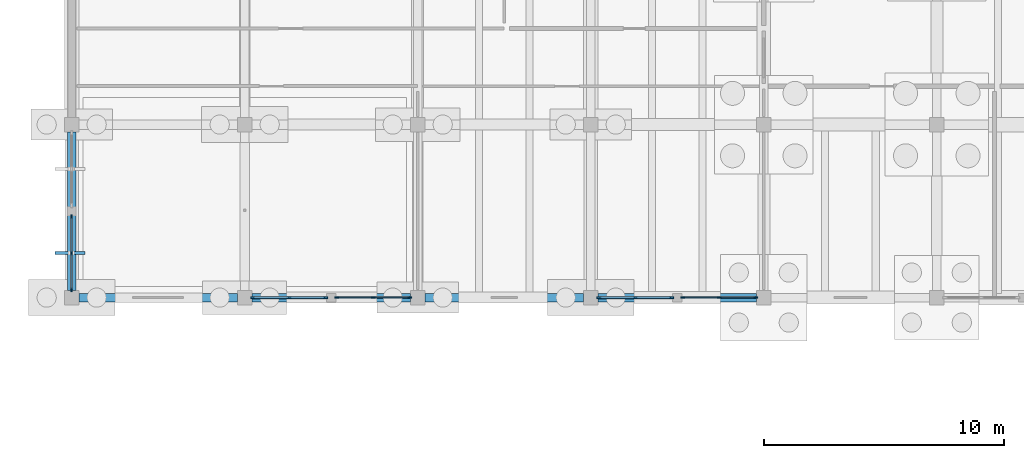
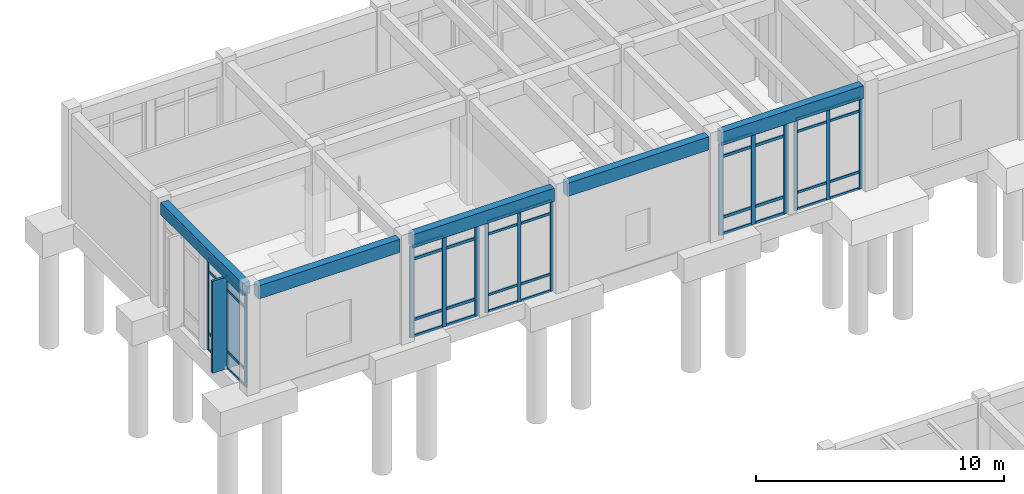
# One storey, part 21 of 93: 56 members, 5 beams, 5 elements without a shape of their own.
"""IFC4 building model written with IfcOpenShell, lengths in metres."""

from ifc_helpers import new_model, si_unit, direction, frame, origin, origin_2d, place, context, subcontext, project, spatial, rectangle, extrude, material, layer, layer_set, material_profile, profile_set, type_object, element, aggregate, save


model = new_model("IFC4")

# Units and contexts
model_context = context("Model", 3, precision=1e-05, world=origin(), true_north=direction((0.0, 1.0)))
body_context = subcontext(model_context, "Body", "Model", "MODEL_VIEW")
ifc_project = project(units=[si_unit("LENGTHUNIT", "METRE"), si_unit("AREAUNIT", "SQUARE_METRE"), si_unit("VOLUMEUNIT", "CUBIC_METRE"), si_unit("PLANEANGLEUNIT", "RADIAN"), si_unit("MASSUNIT", "GRAM", prefix="KILO")], contexts=[model_context])

# Site, building, storey
site_placement = place(None, origin())
site = spatial("IfcSite", under=ifc_project, at=site_placement, CompositionType="ELEMENT")
building_placement = place(site_placement, origin())
building = spatial("IfcBuilding", under=site, at=building_placement, Name="Koriwan Promenade Central Fire Station", CompositionType="ELEMENT")
storey_placement = place(building_placement, origin())
storey = spatial("IfcBuildingStorey", under=building, at=storey_placement, Name="L00", CompositionType="ELEMENT", Elevation=0.0)

# Beams
ifc_material_1 = material(Name="Concrete C35/45", Category="concrete")
ifc_material_profile_1 = material_profile(ifc_material_1, rectangle(XDim=0.35009765625, YDim=0.60009765625, at=origin_2d()), Name="RC-BM-350x600")
ifc_profile_set_1 = profile_set([ifc_material_profile_1], Name="Concrete C35/45")
beam_type_1 = type_object("IfcBeamType", Name="Beam_RC-BM-350x600", PredefinedType="BEAM", material=ifc_profile_set_1)
beam_1_placement = place(storey_placement, frame((0.0, 43.5, 4.85009765625), z_axis=(0.0, 1.0, 0.0), x_axis=(-1.0, 0.0, 0.0)))
element("IfcBeam", 1, at=beam_1_placement, inside=storey, type_object=beam_type_1, Name="V4 L00 girder Y-354", PredefinedType="BEAM", context=body_context, shape_type="SweptSolid", body=[
    extrude(rectangle(XDim=0.35009765625, YDim=0.60009765625, at=origin_2d()), origin(), (0.0, 0.0, 1.0), 6.60009765625),
])
ifc_material_profile_2 = material_profile(ifc_material_1, rectangle(XDim=0.35009765625, YDim=0.64990234375, at=origin_2d()), Name="RC-SP-350x650")
ifc_profile_set_2 = profile_set([ifc_material_profile_2], Name="Concrete C35/45")
beam_type_2 = type_object("IfcBeamType", Name="Beam_RC-SP-350x650", PredefinedType="SPANDREL", material=ifc_profile_set_2)
beam_2_placement = place(storey_placement, frame((0.300048828125, 43.199951171875, 4.824951171875), z_axis=(1.0, 0.0, 0.0), x_axis=(0.0, 1.0, 0.0)))
element("IfcBeam", 2, at=beam_2_placement, inside=storey, type_object=beam_type_2, Name="V4 L00 girder X-324", PredefinedType="SPANDREL", context=body_context, shape_type="SweptSolid", body=[
    extrude(rectangle(XDim=0.35009765625, YDim=0.64990234375, at=origin_2d()), origin(), (0.0, 0.0, 1.0), 6.599853515625),
])
for number, where, z_axis, x_axis, name in (
    (3, (7.5, 43.199951171875, 4.824951171875), (1.0, 0.0, 0.0), (0.0, 1.0, 0.0), "V4 L00 girder X-325"),
    (4, (14.699951171875, 43.199951171875, 4.8349609375), (1.0, 0.0, 0.0), (0.0, 1.0, 0.0), "V4 L00 girder X-326"),
    (5, (21.89990234375, 43.199951171875, 4.8349609375), (1.0, 0.0, 0.0), (0.0, 1.0, 0.0), "V4 L00 girder X-327"),
):
    element("IfcBeam", number, at=place(storey_placement, frame(where, z_axis=z_axis, x_axis=x_axis)), inside=storey, type_object=beam_type_2, Name=name, PredefinedType="SPANDREL", context=body_context, shape_type="SweptSolid", body=[
        extrude(rectangle(XDim=0.35009765625, YDim=0.64990234375, at=origin_2d()), origin(), (0.0, 0.0, 1.0), 6.60009765625),
    ])

# Curtain wall, members
ifc_material_2 = material(Name="Aluminium EN AW-6063-T6 and low-E glazing", Category="aluminium")
ifc_layer_1 = layer(ifc_material_2, 0.159912109375, Name="Aluminium EN AW-6063-T6 and low-E glazing")
ifc_layer_set_1 = layer_set([ifc_layer_1], Name="Aluminium EN AW-6063-T6 and low-E glazing")
curtain_wall_type_1 = type_object("IfcCurtainWallType", Name="CurtainWall_33_310x454", PredefinedType="USERDEFINED", material=ifc_layer_set_1)
curtain_wall_1_placement = place(storey_placement, origin())
curtain_wall_1 = element("IfcCurtainWall", 6, at=curtain_wall_1_placement, inside=storey, type_object=curtain_wall_type_1, Name="V4 L00 unitised curtain wall 081", ObjectType="UNITISED CURTAIN WALL", PredefinedType="USERDEFINED")
ifc_material_3 = material(Name="Aluminium EN AW-6063-T6", Category="aluminium")
ifc_material_profile_3 = material_profile(ifc_material_3, rectangle(XDim=0.06494140625, YDim=0.159912109375, at=origin_2d()), Name="ALU-MUL-65x160")
ifc_profile_set_3 = profile_set([ifc_material_profile_3], Name="Aluminium EN AW-6063-T6")
member_type_1 = type_object("IfcMemberType", Name="CWMullion_ALU-MUL-65x160", PredefinedType="MULLION", material=ifc_profile_set_3)
member_1_placement = place(storey_placement, frame((0.0, 43.532470703125, 0.0), z_axis=(0.0, 0.0, 1.0), x_axis=(-1.0, 0.0, 0.0)))
member_1 = element("IfcMember", 7, at=member_1_placement, type_object=member_type_1, Name="CW-33 mullion 1", PredefinedType="MULLION", context=body_context, shape_type="SweptSolid", body=[
    extrude(rectangle(XDim=0.06494140625, YDim=0.159912109375, at=origin_2d()), origin(), (0.0, 0.0, 1.0), 4.5400390625),
])
member_2_placement = place(storey_placement, frame((0.0, 45.050048828125, 0.0), z_axis=(0.0, 0.0, 1.0), x_axis=(-1.0, 0.0, 0.0)))
member_2 = element("IfcMember", 8, at=member_2_placement, type_object=member_type_1, Name="CW-33 mullion 2", PredefinedType="MULLION", context=body_context, shape_type="SweptSolid", body=[
    extrude(rectangle(XDim=0.06494140625, YDim=0.159912109375, at=origin_2d()), origin(), (0.0, 0.0, 1.0), 4.5400390625),
])
member_3_placement = place(storey_placement, frame((0.0, 46.5673828125, 0.0), z_axis=(0.0, 0.0, 1.0), x_axis=(-1.0, 0.0, 0.0)))
member_3 = element("IfcMember", 9, at=member_3_placement, type_object=member_type_1, Name="CW-33 mullion 3", PredefinedType="MULLION", context=body_context, shape_type="SweptSolid", body=[
    extrude(rectangle(XDim=0.06494140625, YDim=0.159912109375, at=origin_2d()), origin(), (0.0, 0.0, 1.0), 4.5400390625),
])

ifc_layer_2 = layer(ifc_material_2, 0.159912109375, Name="Aluminium EN AW-6063-T6 and low-E glazing")
ifc_layer_set_2 = layer_set([ifc_layer_2], Name="Aluminium EN AW-6063-T6 and low-E glazing")
curtain_wall_type_2 = type_object("IfcCurtainWallType", Name="CurtainWall_42_310x450", PredefinedType="USERDEFINED", material=ifc_layer_set_2)
curtain_wall_2_placement = place(storey_placement, origin())
curtain_wall_2 = element("IfcCurtainWall", 10, at=curtain_wall_2_placement, inside=storey, type_object=curtain_wall_type_2, Name="V4 L00 unitised curtain wall 105", ObjectType="UNITISED CURTAIN WALL", PredefinedType="USERDEFINED")
member_4_placement = place(storey_placement, frame((28.467529296875, 43.199951171875, 0.0), z_axis=(0.0, 0.0, 1.0), x_axis=(0.0, -1.0, 0.0)))
member_4 = element("IfcMember", 11, at=member_4_placement, type_object=member_type_1, Name="CW-42 mullion 1", PredefinedType="MULLION", context=body_context, shape_type="SweptSolid", body=[
    extrude(rectangle(XDim=0.06494140625, YDim=0.159912109375, at=origin_2d()), origin(), (0.0, 0.0, 1.0), 4.5),
])
member_5_placement = place(storey_placement, frame((26.949951171875, 43.199951171875, 0.0), z_axis=(0.0, 0.0, 1.0), x_axis=(0.0, -1.0, 0.0)))
member_5 = element("IfcMember", 12, at=member_5_placement, type_object=member_type_1, Name="CW-42 mullion 2", PredefinedType="MULLION", context=body_context, shape_type="SweptSolid", body=[
    extrude(rectangle(XDim=0.06494140625, YDim=0.159912109375, at=origin_2d()), origin(), (0.0, 0.0, 1.0), 4.5),
])
member_6_placement = place(storey_placement, frame((25.4326171875, 43.199951171875, 0.0), z_axis=(0.0, 0.0, 1.0), x_axis=(0.0, -1.0, 0.0)))
member_6 = element("IfcMember", 13, at=member_6_placement, type_object=member_type_1, Name="CW-42 mullion 3", PredefinedType="MULLION", context=body_context, shape_type="SweptSolid", body=[
    extrude(rectangle(XDim=0.06494140625, YDim=0.159912109375, at=origin_2d()), origin(), (0.0, 0.0, 1.0), 4.5),
])

ifc_layer_3 = layer(ifc_material_2, 0.159912109375, Name="Aluminium EN AW-6063-T6 and low-E glazing")
ifc_layer_set_3 = layer_set([ifc_layer_3], Name="Aluminium EN AW-6063-T6 and low-E glazing")
curtain_wall_type_3 = type_object("IfcCurtainWallType", Name="CurtainWall_24_310x449", PredefinedType="USERDEFINED", material=ifc_layer_set_3)
curtain_wall_3_placement = place(storey_placement, origin())
curtain_wall_3 = element("IfcCurtainWall", 14, at=curtain_wall_3_placement, inside=storey, type_object=curtain_wall_type_3, Name="V4 L00 unitised curtain wall 107", ObjectType="UNITISED CURTAIN WALL", PredefinedType="USERDEFINED")
member_7_placement = place(storey_placement, frame((14.0673828125, 43.199951171875, 0.0), z_axis=(0.0, 0.0, 1.0), x_axis=(0.0, -1.0, 0.0)))
member_7 = element("IfcMember", 15, at=member_7_placement, type_object=member_type_1, Name="CW-24 mullion 1", PredefinedType="MULLION", context=body_context, shape_type="SweptSolid", body=[
    extrude(rectangle(XDim=0.06494140625, YDim=0.159912109375, at=origin_2d()), origin(), (0.0, 0.0, 1.0), 4.489990234375),
])
member_8_placement = place(storey_placement, frame((12.550048828125, 43.199951171875, 0.0), z_axis=(0.0, 0.0, 1.0), x_axis=(0.0, -1.0, 0.0)))
member_8 = element("IfcMember", 16, at=member_8_placement, type_object=member_type_1, Name="CW-24 mullion 2", PredefinedType="MULLION", context=body_context, shape_type="SweptSolid", body=[
    extrude(rectangle(XDim=0.06494140625, YDim=0.159912109375, at=origin_2d()), origin(), (0.0, 0.0, 1.0), 4.489990234375),
])
member_9_placement = place(storey_placement, frame((11.032470703125, 43.199951171875, 0.0), z_axis=(0.0, 0.0, 1.0), x_axis=(0.0, -1.0, 0.0)))
member_9 = element("IfcMember", 17, at=member_9_placement, type_object=member_type_1, Name="CW-24 mullion 3", PredefinedType="MULLION", context=body_context, shape_type="SweptSolid", body=[
    extrude(rectangle(XDim=0.06494140625, YDim=0.159912109375, at=origin_2d()), origin(), (0.0, 0.0, 1.0), 4.489990234375),
])

ifc_layer_4 = layer(ifc_material_2, 0.159912109375, Name="Aluminium EN AW-6063-T6 and low-E glazing")
ifc_layer_set_4 = layer_set([ifc_layer_4], Name="Aluminium EN AW-6063-T6 and low-E glazing")
curtain_wall_type_4 = type_object("IfcCurtainWallType", Name="CurtainWall_43_310x450", PredefinedType="USERDEFINED", material=ifc_layer_set_4)
curtain_wall_4_placement = place(storey_placement, origin())
curtain_wall_4 = element("IfcCurtainWall", 18, at=curtain_wall_4_placement, inside=storey, type_object=curtain_wall_type_4, Name="V4 L00 unitised curtain wall 106", ObjectType="UNITISED CURTAIN WALL", PredefinedType="USERDEFINED")
ifc_material_profile_4 = material_profile(ifc_material_3, rectangle(XDim=0.074951171875, YDim=0.179931640625, at=origin_2d()), Name="ALU-MUL-75x180")
ifc_profile_set_4 = profile_set([ifc_material_profile_4], Name="Aluminium EN AW-6063-T6")
member_type_2 = type_object("IfcMemberType", Name="CWMullion_ALU-MUL-75x180", PredefinedType="MULLION", material=ifc_profile_set_4)
member_10_placement = place(storey_placement, frame((24.96240234375, 43.199951171875, 0.0), z_axis=(0.0, 0.0, 1.0), x_axis=(0.0, -1.0, 0.0)))
member_10 = element("IfcMember", 19, at=member_10_placement, type_object=member_type_2, Name="CW-43 mullion 1", PredefinedType="MULLION", context=body_context, shape_type="SweptSolid", body=[
    extrude(rectangle(XDim=0.074951171875, YDim=0.179931640625, at=origin_2d()), origin(), (0.0, 0.0, 1.0), 4.5),
])
member_11_placement = place(storey_placement, frame((23.449951171875, 43.199951171875, 0.0), z_axis=(0.0, 0.0, 1.0), x_axis=(0.0, -1.0, 0.0)))
member_11 = element("IfcMember", 20, at=member_11_placement, type_object=member_type_2, Name="CW-43 mullion 2", PredefinedType="MULLION", context=body_context, shape_type="SweptSolid", body=[
    extrude(rectangle(XDim=0.074951171875, YDim=0.179931640625, at=origin_2d()), origin(), (0.0, 0.0, 1.0), 4.5),
])
member_12_placement = place(storey_placement, frame((21.9375, 43.199951171875, 0.0), z_axis=(0.0, 0.0, 1.0), x_axis=(0.0, -1.0, 0.0)))
member_12 = element("IfcMember", 21, at=member_12_placement, type_object=member_type_2, Name="CW-43 mullion 3", PredefinedType="MULLION", context=body_context, shape_type="SweptSolid", body=[
    extrude(rectangle(XDim=0.074951171875, YDim=0.179931640625, at=origin_2d()), origin(), (0.0, 0.0, 1.0), 4.5),
])

ifc_layer_5 = layer(ifc_material_2, 0.159912109375, Name="Aluminium EN AW-6063-T6 and low-E glazing")
ifc_layer_set_5 = layer_set([ifc_layer_5], Name="Aluminium EN AW-6063-T6 and low-E glazing")
curtain_wall_type_5 = type_object("IfcCurtainWallType", Name="CurtainWall_39_310x449", PredefinedType="USERDEFINED", material=ifc_layer_set_5)
curtain_wall_5_placement = place(storey_placement, origin())
curtain_wall_5 = element("IfcCurtainWall", 22, at=curtain_wall_5_placement, inside=storey, type_object=curtain_wall_type_5, Name="V4 L00 unitised curtain wall 108", ObjectType="UNITISED CURTAIN WALL", PredefinedType="USERDEFINED")
member_13_placement = place(storey_placement, frame((10.5625, 43.199951171875, 0.0), z_axis=(0.0, 0.0, 1.0), x_axis=(0.0, -1.0, 0.0)))
member_13 = element("IfcMember", 23, at=member_13_placement, type_object=member_type_2, Name="CW-39 mullion 1", PredefinedType="MULLION", context=body_context, shape_type="SweptSolid", body=[
    extrude(rectangle(XDim=0.074951171875, YDim=0.179931640625, at=origin_2d()), origin(), (0.0, 0.0, 1.0), 4.489990234375),
])
member_14_placement = place(storey_placement, frame((9.050048828125, 43.199951171875, 0.0), z_axis=(0.0, 0.0, 1.0), x_axis=(0.0, -1.0, 0.0)))
member_14 = element("IfcMember", 24, at=member_14_placement, type_object=member_type_2, Name="CW-39 mullion 2", PredefinedType="MULLION", context=body_context, shape_type="SweptSolid", body=[
    extrude(rectangle(XDim=0.074951171875, YDim=0.179931640625, at=origin_2d()), origin(), (0.0, 0.0, 1.0), 4.489990234375),
])
member_15_placement = place(storey_placement, frame((7.53759765625, 43.199951171875, 0.0), z_axis=(0.0, 0.0, 1.0), x_axis=(0.0, -1.0, 0.0)))
member_15 = element("IfcMember", 25, at=member_15_placement, type_object=member_type_2, Name="CW-39 mullion 3", PredefinedType="MULLION", context=body_context, shape_type="SweptSolid", body=[
    extrude(rectangle(XDim=0.074951171875, YDim=0.179931640625, at=origin_2d()), origin(), (0.0, 0.0, 1.0), 4.489990234375),
])

# Member
ifc_material_profile_5 = material_profile(ifc_material_3, rectangle(XDim=0.06494140625, YDim=0.1201171875, at=origin_2d()), Name="ALU-TRN-65x120")
ifc_profile_set_5 = profile_set([ifc_material_profile_5], Name="Aluminium EN AW-6063-T6")
member_type_3 = type_object("IfcMemberType", Name="CWTransom_ALU-TRN-65x120", PredefinedType="USERDEFINED", material=ifc_profile_set_5)
member_16_placement = place(storey_placement, frame((0.0, 43.56494140625, 0.032470703125), z_axis=(0.0, 1.0, 0.0), x_axis=(-1.0, 0.0, 0.0)))
member_16 = element("IfcMember", 26, at=member_16_placement, type_object=member_type_3, Name="CW-33 transom 1.1", ObjectType="TRANSOM", PredefinedType="USERDEFINED", context=body_context, shape_type="SweptSolid", body=[
    extrude(rectangle(XDim=0.06494140625, YDim=0.1201171875, at=origin_2d()), origin(), (0.0, 0.0, 1.0), 1.45263671875),
])

member_17_placement = place(storey_placement, frame((0.0, 43.56494140625, 0.85009765625), z_axis=(0.0, 1.0, 0.0), x_axis=(-1.0, 0.0, 0.0)))
member_17 = element("IfcMember", 27, at=member_17_placement, type_object=member_type_3, Name="CW-33 transom 1.2", ObjectType="TRANSOM", PredefinedType="USERDEFINED", context=body_context, shape_type="SweptSolid", body=[
    extrude(rectangle(XDim=0.06494140625, YDim=0.1201171875, at=origin_2d()), origin(), (0.0, 0.0, 1.0), 1.45263671875),
])

member_18_placement = place(storey_placement, frame((0.0, 43.56494140625, 3.889892578125), z_axis=(0.0, 1.0, 0.0), x_axis=(-1.0, 0.0, 0.0)))
member_18 = element("IfcMember", 28, at=member_18_placement, type_object=member_type_3, Name="CW-33 transom 1.3", ObjectType="TRANSOM", PredefinedType="USERDEFINED", context=body_context, shape_type="SweptSolid", body=[
    extrude(rectangle(XDim=0.06494140625, YDim=0.1201171875, at=origin_2d()), origin(), (0.0, 0.0, 1.0), 1.45263671875),
])

member_19_placement = place(storey_placement, frame((0.0, 43.56494140625, 4.507568359375), z_axis=(0.0, 1.0, 0.0), x_axis=(-1.0, 0.0, 0.0)))
member_19 = element("IfcMember", 29, at=member_19_placement, type_object=member_type_3, Name="CW-33 transom 1.4", ObjectType="TRANSOM", PredefinedType="USERDEFINED", context=body_context, shape_type="SweptSolid", body=[
    extrude(rectangle(XDim=0.06494140625, YDim=0.1201171875, at=origin_2d()), origin(), (0.0, 0.0, 1.0), 1.45263671875),
])

member_20_placement = place(storey_placement, frame((0.0, 45.08251953125, 0.032470703125), z_axis=(0.0, 1.0, 0.0), x_axis=(-1.0, 0.0, 0.0)))
member_20 = element("IfcMember", 30, at=member_20_placement, type_object=member_type_3, Name="CW-33 transom 2.1", ObjectType="TRANSOM", PredefinedType="USERDEFINED", context=body_context, shape_type="SweptSolid", body=[
    extrude(rectangle(XDim=0.06494140625, YDim=0.1201171875, at=origin_2d()), origin(), (0.0, 0.0, 1.0), 1.452392578125),
])

member_21_placement = place(storey_placement, frame((0.0, 45.08251953125, 0.85009765625), z_axis=(0.0, 1.0, 0.0), x_axis=(-1.0, 0.0, 0.0)))
member_21 = element("IfcMember", 31, at=member_21_placement, type_object=member_type_3, Name="CW-33 transom 2.2", ObjectType="TRANSOM", PredefinedType="USERDEFINED", context=body_context, shape_type="SweptSolid", body=[
    extrude(rectangle(XDim=0.06494140625, YDim=0.1201171875, at=origin_2d()), origin(), (0.0, 0.0, 1.0), 1.452392578125),
])

member_22_placement = place(storey_placement, frame((0.0, 45.08251953125, 3.889892578125), z_axis=(0.0, 1.0, 0.0), x_axis=(-1.0, 0.0, 0.0)))
member_22 = element("IfcMember", 32, at=member_22_placement, type_object=member_type_3, Name="CW-33 transom 2.3", ObjectType="TRANSOM", PredefinedType="USERDEFINED", context=body_context, shape_type="SweptSolid", body=[
    extrude(rectangle(XDim=0.06494140625, YDim=0.1201171875, at=origin_2d()), origin(), (0.0, 0.0, 1.0), 1.452392578125),
])

member_23_placement = place(storey_placement, frame((0.0, 45.08251953125, 4.507568359375), z_axis=(0.0, 1.0, 0.0), x_axis=(-1.0, 0.0, 0.0)))
member_23 = element("IfcMember", 33, at=member_23_placement, type_object=member_type_3, Name="CW-33 transom 2.4", ObjectType="TRANSOM", PredefinedType="USERDEFINED", context=body_context, shape_type="SweptSolid", body=[
    extrude(rectangle(XDim=0.06494140625, YDim=0.1201171875, at=origin_2d()), origin(), (0.0, 0.0, 1.0), 1.452392578125),
])

aggregate(curtain_wall_1, [member_1, member_2, member_3, member_16, member_17, member_18, member_19, member_20, member_21, member_22, member_23])

member_24_placement = place(storey_placement, frame((28.43505859375, 43.199951171875, 0.032470703125), z_axis=(-1.0, 0.0, 0.0), x_axis=(0.0, -1.0, 0.0)))
member_24 = element("IfcMember", 34, at=member_24_placement, type_object=member_type_3, Name="CW-42 transom 1.1", ObjectType="TRANSOM", PredefinedType="USERDEFINED", context=body_context, shape_type="SweptSolid", body=[
    extrude(rectangle(XDim=0.06494140625, YDim=0.1201171875, at=origin_2d()), origin(), (0.0, 0.0, 1.0), 1.45263671875),
])

member_25_placement = place(storey_placement, frame((28.43505859375, 43.199951171875, 0.85009765625), z_axis=(-1.0, 0.0, 0.0), x_axis=(0.0, -1.0, 0.0)))
member_25 = element("IfcMember", 35, at=member_25_placement, type_object=member_type_3, Name="CW-42 transom 1.2", ObjectType="TRANSOM", PredefinedType="USERDEFINED", context=body_context, shape_type="SweptSolid", body=[
    extrude(rectangle(XDim=0.06494140625, YDim=0.1201171875, at=origin_2d()), origin(), (0.0, 0.0, 1.0), 1.45263671875),
])

member_26_placement = place(storey_placement, frame((28.43505859375, 43.199951171875, 3.85009765625), z_axis=(-1.0, 0.0, 0.0), x_axis=(0.0, -1.0, 0.0)))
member_26 = element("IfcMember", 36, at=member_26_placement, type_object=member_type_3, Name="CW-42 transom 1.3", ObjectType="TRANSOM", PredefinedType="USERDEFINED", context=body_context, shape_type="SweptSolid", body=[
    extrude(rectangle(XDim=0.06494140625, YDim=0.1201171875, at=origin_2d()), origin(), (0.0, 0.0, 1.0), 1.45263671875),
])

member_27_placement = place(storey_placement, frame((28.43505859375, 43.199951171875, 4.467529296875), z_axis=(-1.0, 0.0, 0.0), x_axis=(0.0, -1.0, 0.0)))
member_27 = element("IfcMember", 37, at=member_27_placement, type_object=member_type_3, Name="CW-42 transom 1.4", ObjectType="TRANSOM", PredefinedType="USERDEFINED", context=body_context, shape_type="SweptSolid", body=[
    extrude(rectangle(XDim=0.06494140625, YDim=0.1201171875, at=origin_2d()), origin(), (0.0, 0.0, 1.0), 1.45263671875),
])

member_28_placement = place(storey_placement, frame((26.91748046875, 43.199951171875, 0.032470703125), z_axis=(-1.0, 0.0, 0.0), x_axis=(0.0, -1.0, 0.0)))
member_28 = element("IfcMember", 38, at=member_28_placement, type_object=member_type_3, Name="CW-42 transom 2.1", ObjectType="TRANSOM", PredefinedType="USERDEFINED", context=body_context, shape_type="SweptSolid", body=[
    extrude(rectangle(XDim=0.06494140625, YDim=0.1201171875, at=origin_2d()), origin(), (0.0, 0.0, 1.0), 1.452392578125),
])

member_29_placement = place(storey_placement, frame((26.91748046875, 43.199951171875, 0.85009765625), z_axis=(-1.0, 0.0, 0.0), x_axis=(0.0, -1.0, 0.0)))
member_29 = element("IfcMember", 39, at=member_29_placement, type_object=member_type_3, Name="CW-42 transom 2.2", ObjectType="TRANSOM", PredefinedType="USERDEFINED", context=body_context, shape_type="SweptSolid", body=[
    extrude(rectangle(XDim=0.06494140625, YDim=0.1201171875, at=origin_2d()), origin(), (0.0, 0.0, 1.0), 1.452392578125),
])

member_30_placement = place(storey_placement, frame((26.91748046875, 43.199951171875, 3.85009765625), z_axis=(-1.0, 0.0, 0.0), x_axis=(0.0, -1.0, 0.0)))
member_30 = element("IfcMember", 40, at=member_30_placement, type_object=member_type_3, Name="CW-42 transom 2.3", ObjectType="TRANSOM", PredefinedType="USERDEFINED", context=body_context, shape_type="SweptSolid", body=[
    extrude(rectangle(XDim=0.06494140625, YDim=0.1201171875, at=origin_2d()), origin(), (0.0, 0.0, 1.0), 1.452392578125),
])

member_31_placement = place(storey_placement, frame((26.91748046875, 43.199951171875, 4.467529296875), z_axis=(-1.0, 0.0, 0.0), x_axis=(0.0, -1.0, 0.0)))
member_31 = element("IfcMember", 41, at=member_31_placement, type_object=member_type_3, Name="CW-42 transom 2.4", ObjectType="TRANSOM", PredefinedType="USERDEFINED", context=body_context, shape_type="SweptSolid", body=[
    extrude(rectangle(XDim=0.06494140625, YDim=0.1201171875, at=origin_2d()), origin(), (0.0, 0.0, 1.0), 1.452392578125),
])

aggregate(curtain_wall_2, [member_4, member_5, member_6, member_24, member_25, member_26, member_27, member_28, member_29, member_30, member_31])

member_32_placement = place(storey_placement, frame((14.034912109375, 43.199951171875, 0.032470703125), z_axis=(-1.0, 0.0, 0.0), x_axis=(0.0, -1.0, 0.0)))
member_32 = element("IfcMember", 42, at=member_32_placement, type_object=member_type_3, Name="CW-24 transom 1.1", ObjectType="TRANSOM", PredefinedType="USERDEFINED", context=body_context, shape_type="SweptSolid", body=[
    extrude(rectangle(XDim=0.06494140625, YDim=0.1201171875, at=origin_2d()), origin(), (0.0, 0.0, 1.0), 1.452392578125),
])

member_33_placement = place(storey_placement, frame((14.034912109375, 43.199951171875, 0.85009765625), z_axis=(-1.0, 0.0, 0.0), x_axis=(0.0, -1.0, 0.0)))
member_33 = element("IfcMember", 43, at=member_33_placement, type_object=member_type_3, Name="CW-24 transom 1.2", ObjectType="TRANSOM", PredefinedType="USERDEFINED", context=body_context, shape_type="SweptSolid", body=[
    extrude(rectangle(XDim=0.06494140625, YDim=0.1201171875, at=origin_2d()), origin(), (0.0, 0.0, 1.0), 1.452392578125),
])

member_34_placement = place(storey_placement, frame((14.034912109375, 43.199951171875, 3.840087890625), z_axis=(-1.0, 0.0, 0.0), x_axis=(0.0, -1.0, 0.0)))
member_34 = element("IfcMember", 44, at=member_34_placement, type_object=member_type_3, Name="CW-24 transom 1.3", ObjectType="TRANSOM", PredefinedType="USERDEFINED", context=body_context, shape_type="SweptSolid", body=[
    extrude(rectangle(XDim=0.06494140625, YDim=0.1201171875, at=origin_2d()), origin(), (0.0, 0.0, 1.0), 1.452392578125),
])

member_35_placement = place(storey_placement, frame((14.034912109375, 43.199951171875, 4.45751953125), z_axis=(-1.0, 0.0, 0.0), x_axis=(0.0, -1.0, 0.0)))
member_35 = element("IfcMember", 45, at=member_35_placement, type_object=member_type_3, Name="CW-24 transom 1.4", ObjectType="TRANSOM", PredefinedType="USERDEFINED", context=body_context, shape_type="SweptSolid", body=[
    extrude(rectangle(XDim=0.06494140625, YDim=0.1201171875, at=origin_2d()), origin(), (0.0, 0.0, 1.0), 1.452392578125),
])

member_36_placement = place(storey_placement, frame((12.517578125, 43.199951171875, 0.032470703125), z_axis=(-1.0, 0.0, 0.0), x_axis=(0.0, -1.0, 0.0)))
member_36 = element("IfcMember", 46, at=member_36_placement, type_object=member_type_3, Name="CW-24 transom 2.1", ObjectType="TRANSOM", PredefinedType="USERDEFINED", context=body_context, shape_type="SweptSolid", body=[
    extrude(rectangle(XDim=0.06494140625, YDim=0.1201171875, at=origin_2d()), origin(), (0.0, 0.0, 1.0), 1.45263671875),
])

member_37_placement = place(storey_placement, frame((12.517578125, 43.199951171875, 0.85009765625), z_axis=(-1.0, 0.0, 0.0), x_axis=(0.0, -1.0, 0.0)))
member_37 = element("IfcMember", 47, at=member_37_placement, type_object=member_type_3, Name="CW-24 transom 2.2", ObjectType="TRANSOM", PredefinedType="USERDEFINED", context=body_context, shape_type="SweptSolid", body=[
    extrude(rectangle(XDim=0.06494140625, YDim=0.1201171875, at=origin_2d()), origin(), (0.0, 0.0, 1.0), 1.45263671875),
])

member_38_placement = place(storey_placement, frame((12.517578125, 43.199951171875, 3.840087890625), z_axis=(-1.0, 0.0, 0.0), x_axis=(0.0, -1.0, 0.0)))
member_38 = element("IfcMember", 48, at=member_38_placement, type_object=member_type_3, Name="CW-24 transom 2.3", ObjectType="TRANSOM", PredefinedType="USERDEFINED", context=body_context, shape_type="SweptSolid", body=[
    extrude(rectangle(XDim=0.06494140625, YDim=0.1201171875, at=origin_2d()), origin(), (0.0, 0.0, 1.0), 1.45263671875),
])

member_39_placement = place(storey_placement, frame((12.517578125, 43.199951171875, 4.45751953125), z_axis=(-1.0, 0.0, 0.0), x_axis=(0.0, -1.0, 0.0)))
member_39 = element("IfcMember", 49, at=member_39_placement, type_object=member_type_3, Name="CW-24 transom 2.4", ObjectType="TRANSOM", PredefinedType="USERDEFINED", context=body_context, shape_type="SweptSolid", body=[
    extrude(rectangle(XDim=0.06494140625, YDim=0.1201171875, at=origin_2d()), origin(), (0.0, 0.0, 1.0), 1.45263671875),
])

aggregate(curtain_wall_3, [member_7, member_8, member_9, member_32, member_33, member_34, member_35, member_36, member_37, member_38, member_39])

ifc_material_profile_6 = material_profile(ifc_material_3, rectangle(XDim=0.074951171875, YDim=0.139892578125, at=origin_2d()), Name="ALU-TRN-75x140")
ifc_profile_set_6 = profile_set([ifc_material_profile_6], Name="Aluminium EN AW-6063-T6")
member_type_4 = type_object("IfcMemberType", Name="CWTransom_ALU-TRN-75x140", PredefinedType="USERDEFINED", material=ifc_profile_set_6)
member_40_placement = place(storey_placement, frame((24.925048828125, 43.199951171875, 0.03759765625), z_axis=(-1.0, 0.0, 0.0), x_axis=(0.0, -1.0, 0.0)))
member_40 = element("IfcMember", 50, at=member_40_placement, type_object=member_type_4, Name="CW-43 transom 1.1", ObjectType="TRANSOM", PredefinedType="USERDEFINED", context=body_context, shape_type="SweptSolid", body=[
    extrude(rectangle(XDim=0.074951171875, YDim=0.139892578125, at=origin_2d()), origin(), (0.0, 0.0, 1.0), 1.4375),
])

member_41_placement = place(storey_placement, frame((24.925048828125, 43.199951171875, 0.85009765625), z_axis=(-1.0, 0.0, 0.0), x_axis=(0.0, -1.0, 0.0)))
member_41 = element("IfcMember", 51, at=member_41_placement, type_object=member_type_4, Name="CW-43 transom 1.2", ObjectType="TRANSOM", PredefinedType="USERDEFINED", context=body_context, shape_type="SweptSolid", body=[
    extrude(rectangle(XDim=0.074951171875, YDim=0.139892578125, at=origin_2d()), origin(), (0.0, 0.0, 1.0), 1.4375),
])

member_42_placement = place(storey_placement, frame((24.925048828125, 43.199951171875, 3.85009765625), z_axis=(-1.0, 0.0, 0.0), x_axis=(0.0, -1.0, 0.0)))
member_42 = element("IfcMember", 52, at=member_42_placement, type_object=member_type_4, Name="CW-43 transom 1.3", ObjectType="TRANSOM", PredefinedType="USERDEFINED", context=body_context, shape_type="SweptSolid", body=[
    extrude(rectangle(XDim=0.074951171875, YDim=0.139892578125, at=origin_2d()), origin(), (0.0, 0.0, 1.0), 1.4375),
])

member_43_placement = place(storey_placement, frame((24.925048828125, 43.199951171875, 4.46240234375), z_axis=(-1.0, 0.0, 0.0), x_axis=(0.0, -1.0, 0.0)))
member_43 = element("IfcMember", 53, at=member_43_placement, type_object=member_type_4, Name="CW-43 transom 1.4", ObjectType="TRANSOM", PredefinedType="USERDEFINED", context=body_context, shape_type="SweptSolid", body=[
    extrude(rectangle(XDim=0.074951171875, YDim=0.139892578125, at=origin_2d()), origin(), (0.0, 0.0, 1.0), 1.4375),
])

member_44_placement = place(storey_placement, frame((23.41259765625, 43.199951171875, 0.03759765625), z_axis=(-1.0, 0.0, 0.0), x_axis=(0.0, -1.0, 0.0)))
member_44 = element("IfcMember", 54, at=member_44_placement, type_object=member_type_4, Name="CW-43 transom 2.1", ObjectType="TRANSOM", PredefinedType="USERDEFINED", context=body_context, shape_type="SweptSolid", body=[
    extrude(rectangle(XDim=0.074951171875, YDim=0.139892578125, at=origin_2d()), origin(), (0.0, 0.0, 1.0), 1.4375),
])

member_45_placement = place(storey_placement, frame((23.41259765625, 43.199951171875, 0.85009765625), z_axis=(-1.0, 0.0, 0.0), x_axis=(0.0, -1.0, 0.0)))
member_45 = element("IfcMember", 55, at=member_45_placement, type_object=member_type_4, Name="CW-43 transom 2.2", ObjectType="TRANSOM", PredefinedType="USERDEFINED", context=body_context, shape_type="SweptSolid", body=[
    extrude(rectangle(XDim=0.074951171875, YDim=0.139892578125, at=origin_2d()), origin(), (0.0, 0.0, 1.0), 1.4375),
])

member_46_placement = place(storey_placement, frame((23.41259765625, 43.199951171875, 3.85009765625), z_axis=(-1.0, 0.0, 0.0), x_axis=(0.0, -1.0, 0.0)))
member_46 = element("IfcMember", 56, at=member_46_placement, type_object=member_type_4, Name="CW-43 transom 2.3", ObjectType="TRANSOM", PredefinedType="USERDEFINED", context=body_context, shape_type="SweptSolid", body=[
    extrude(rectangle(XDim=0.074951171875, YDim=0.139892578125, at=origin_2d()), origin(), (0.0, 0.0, 1.0), 1.4375),
])

member_47_placement = place(storey_placement, frame((23.41259765625, 43.199951171875, 4.46240234375), z_axis=(-1.0, 0.0, 0.0), x_axis=(0.0, -1.0, 0.0)))
member_47 = element("IfcMember", 57, at=member_47_placement, type_object=member_type_4, Name="CW-43 transom 2.4", ObjectType="TRANSOM", PredefinedType="USERDEFINED", context=body_context, shape_type="SweptSolid", body=[
    extrude(rectangle(XDim=0.074951171875, YDim=0.139892578125, at=origin_2d()), origin(), (0.0, 0.0, 1.0), 1.4375),
])

aggregate(curtain_wall_4, [member_10, member_11, member_12, member_40, member_41, member_42, member_43, member_44, member_45, member_46, member_47])

member_48_placement = place(storey_placement, frame((10.52490234375, 43.199951171875, 0.03759765625), z_axis=(-1.0, 0.0, 0.0), x_axis=(0.0, -1.0, 0.0)))
member_48 = element("IfcMember", 58, at=member_48_placement, type_object=member_type_4, Name="CW-39 transom 1.1", ObjectType="TRANSOM", PredefinedType="USERDEFINED", context=body_context, shape_type="SweptSolid", body=[
    extrude(rectangle(XDim=0.074951171875, YDim=0.139892578125, at=origin_2d()), origin(), (0.0, 0.0, 1.0), 1.4375),
])

member_49_placement = place(storey_placement, frame((10.52490234375, 43.199951171875, 0.85009765625), z_axis=(-1.0, 0.0, 0.0), x_axis=(0.0, -1.0, 0.0)))
member_49 = element("IfcMember", 59, at=member_49_placement, type_object=member_type_4, Name="CW-39 transom 1.2", ObjectType="TRANSOM", PredefinedType="USERDEFINED", context=body_context, shape_type="SweptSolid", body=[
    extrude(rectangle(XDim=0.074951171875, YDim=0.139892578125, at=origin_2d()), origin(), (0.0, 0.0, 1.0), 1.4375),
])

member_50_placement = place(storey_placement, frame((10.52490234375, 43.199951171875, 3.840087890625), z_axis=(-1.0, 0.0, 0.0), x_axis=(0.0, -1.0, 0.0)))
member_50 = element("IfcMember", 60, at=member_50_placement, type_object=member_type_4, Name="CW-39 transom 1.3", ObjectType="TRANSOM", PredefinedType="USERDEFINED", context=body_context, shape_type="SweptSolid", body=[
    extrude(rectangle(XDim=0.074951171875, YDim=0.139892578125, at=origin_2d()), origin(), (0.0, 0.0, 1.0), 1.4375),
])

member_51_placement = place(storey_placement, frame((10.52490234375, 43.199951171875, 4.452392578125), z_axis=(-1.0, 0.0, 0.0), x_axis=(0.0, -1.0, 0.0)))
member_51 = element("IfcMember", 61, at=member_51_placement, type_object=member_type_4, Name="CW-39 transom 1.4", ObjectType="TRANSOM", PredefinedType="USERDEFINED", context=body_context, shape_type="SweptSolid", body=[
    extrude(rectangle(XDim=0.074951171875, YDim=0.139892578125, at=origin_2d()), origin(), (0.0, 0.0, 1.0), 1.4375),
])

member_52_placement = place(storey_placement, frame((9.012451171875, 43.199951171875, 0.03759765625), z_axis=(-1.0, 0.0, 0.0), x_axis=(0.0, -1.0, 0.0)))
member_52 = element("IfcMember", 62, at=member_52_placement, type_object=member_type_4, Name="CW-39 transom 2.1", ObjectType="TRANSOM", PredefinedType="USERDEFINED", context=body_context, shape_type="SweptSolid", body=[
    extrude(rectangle(XDim=0.074951171875, YDim=0.139892578125, at=origin_2d()), origin(), (0.0, 0.0, 1.0), 1.4375),
])

member_53_placement = place(storey_placement, frame((9.012451171875, 43.199951171875, 0.85009765625), z_axis=(-1.0, 0.0, 0.0), x_axis=(0.0, -1.0, 0.0)))
member_53 = element("IfcMember", 63, at=member_53_placement, type_object=member_type_4, Name="CW-39 transom 2.2", ObjectType="TRANSOM", PredefinedType="USERDEFINED", context=body_context, shape_type="SweptSolid", body=[
    extrude(rectangle(XDim=0.074951171875, YDim=0.139892578125, at=origin_2d()), origin(), (0.0, 0.0, 1.0), 1.4375),
])

member_54_placement = place(storey_placement, frame((9.012451171875, 43.199951171875, 3.840087890625), z_axis=(-1.0, 0.0, 0.0), x_axis=(0.0, -1.0, 0.0)))
member_54 = element("IfcMember", 64, at=member_54_placement, type_object=member_type_4, Name="CW-39 transom 2.3", ObjectType="TRANSOM", PredefinedType="USERDEFINED", context=body_context, shape_type="SweptSolid", body=[
    extrude(rectangle(XDim=0.074951171875, YDim=0.139892578125, at=origin_2d()), origin(), (0.0, 0.0, 1.0), 1.4375),
])

member_55_placement = place(storey_placement, frame((9.012451171875, 43.199951171875, 4.452392578125), z_axis=(-1.0, 0.0, 0.0), x_axis=(0.0, -1.0, 0.0)))
member_55 = element("IfcMember", 65, at=member_55_placement, type_object=member_type_4, Name="CW-39 transom 2.4", ObjectType="TRANSOM", PredefinedType="USERDEFINED", context=body_context, shape_type="SweptSolid", body=[
    extrude(rectangle(XDim=0.074951171875, YDim=0.139892578125, at=origin_2d()), origin(), (0.0, 0.0, 1.0), 1.4375),
])

aggregate(curtain_wall_5, [member_13, member_14, member_15, member_48, member_49, member_50, member_51, member_52, member_53, member_54, member_55])

ifc_material_4 = material(Name="Aluminium EN AW-6063-T6 terracotta finish", Category="masonry")
ifc_material_profile_7 = material_profile(ifc_material_4, rectangle(XDim=0.1201171875, YDim=1.25, at=origin_2d()), Name="FIN-TRC-120x1250")
ifc_profile_set_7 = profile_set([ifc_material_profile_7], Name="Aluminium EN AW-6063-T6 terracotta finish")
member_type_5 = type_object("IfcMemberType", Name="SolarFin_FIN-TRC-120x1250", PredefinedType="USERDEFINED", material=ifc_profile_set_7)
member_56_placement = place(storey_placement, frame((-0.074951171875, 45.050048828125, 0.0), z_axis=(0.0, 0.0, 1.0), x_axis=(0.0, 1.0, 0.0)))
element("IfcMember", 66, at=member_56_placement, inside=storey, type_object=member_type_5, Name="V4 L00 terracotta solar fin 001", ObjectType="SOLAR FIN", PredefinedType="USERDEFINED", context=body_context, shape_type="SweptSolid", body=[
    extrude(rectangle(XDim=0.1201171875, YDim=1.25, at=origin_2d()), origin(), (0.0, 0.0, 1.0), 4.5400390625),
])

save(model, "model.ifc")
